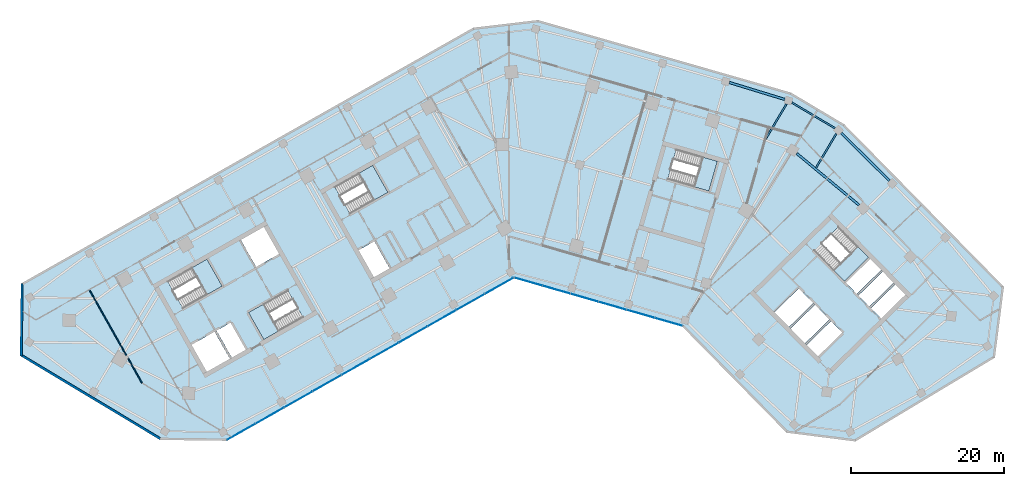
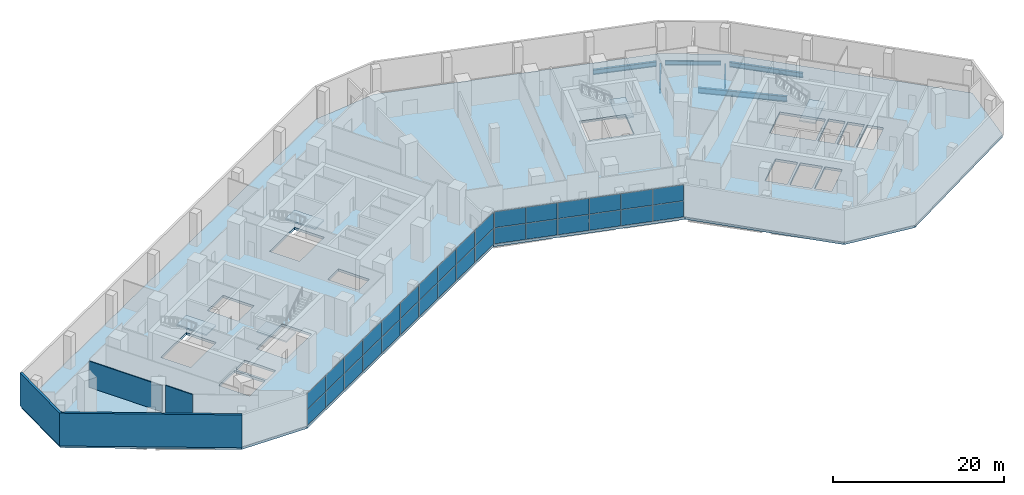
# One storey, part 7 of 16: 32 plates, 6 beams, 6 slabs, 4 walls, 7 elements without a shape of their own.
"""IFC4 building model written with IfcOpenShell, lengths in metres."""

from ifc_helpers import new_model, si_unit, direction, frame, frame_2d, origin, origin_2d, place, context, subcontext, project, spatial, polyline, rectangle, i_section, outline, extrude, material, layer, layer_set, material_profile, profile_set, type_object, element, aggregate, save


model = new_model("IFC4")

# Units and contexts
model_context = context("Model", 3, precision=1e-05, world=origin(), true_north=direction((0.0, 1.0)))
body_context = subcontext(model_context, "Body", "Model", "MODEL_VIEW")
ifc_project = project(units=[si_unit("LENGTHUNIT", "METRE"), si_unit("AREAUNIT", "SQUARE_METRE"), si_unit("VOLUMEUNIT", "CUBIC_METRE"), si_unit("PLANEANGLEUNIT", "RADIAN"), si_unit("MASSUNIT", "GRAM", prefix="KILO")], contexts=[model_context])

# Site, building, storey
site_placement = place(None, origin())
site = spatial("IfcSite", under=ifc_project, at=site_placement, CompositionType="ELEMENT")
building_placement = place(site_placement, origin())
building = spatial("IfcBuilding", under=site, at=building_placement, Name="Binnacle Exchange Tower", CompositionType="ELEMENT")
storey_placement = place(building_placement, frame((0.0, 0.0, 21.5)))
storey = spatial("IfcBuildingStorey", under=building, at=storey_placement, Name="L04", CompositionType="ELEMENT", Elevation=21.5)

# Beams
ifc_material_1 = material(Name="Steel S355 (SHN355)", Category="steel")
ifc_material_profile_1 = material_profile(ifc_material_1, i_section(OverallWidth=0.200927734375, OverallDepth=0.60595703125, WebThickness=0.011962890625, FlangeThickness=0.02001953125, FilletRadius=0.02197265625, at=origin_2d()), Name="H 606x201x12x20")
ifc_profile_set_1 = profile_set([ifc_material_profile_1], Name="Steel S355 (SHN355)")
beam_type_1 = type_object("IfcBeamType", Name="Edge girder H 606x201x12x20 Steel S355 (SHN355)", PredefinedType="SPANDREL", material=ifc_profile_set_1)
beam_1_placement = place(storey_placement, frame((36.972412109375, 65.474609375, -0.653076171875), z_axis=(0.859408777726, -0.51128910879, 0.0), x_axis=(0.51128910879, 0.859408777726, 0.0)))
element("IfcBeam", 1, at=beam_1_placement, inside=storey, type_object=beam_type_1, Name="S:BM:edge:L04:063", PredefinedType="SPANDREL", context=body_context, shape_type="SweptSolid", body=[
    extrude(i_section(OverallWidth=0.200927734375, OverallDepth=0.60595703125, WebThickness=0.011962890625, FlangeThickness=0.02001953125, FilletRadius=0.02197265625, at=origin_2d()), origin(), (0.0, 0.0, 1.0), 6.546142578125),
])
ifc_material_profile_2 = material_profile(ifc_material_1, i_section(OverallWidth=0.300048828125, OverallDepth=0.699951171875, WebThickness=0.012939453125, FlangeThickness=0.02392578125, FilletRadius=0.028076171875, at=origin_2d()), Name="H 700x300x13x24")
ifc_profile_set_2 = profile_set([ifc_material_profile_2], Name="Steel S355 (SHN355)")
beam_type_2 = type_object("IfcBeamType", Name="Edge girder H 700x300x13x24 Steel S355 (SHN355)", PredefinedType="SPANDREL", material=ifc_profile_set_2)
beam_2_placement = place(storey_placement, frame((28.794189453125, 68.103515625, -0.699951171875), z_axis=(0.956298600783, -0.292391836653, 0.0), x_axis=(0.292391836653, 0.956298600783, 0.0)))
element("IfcBeam", 2, at=beam_2_placement, inside=storey, type_object=beam_type_2, Name="S:BM:edge:L04:058", PredefinedType="SPANDREL", context=body_context, shape_type="SweptSolid", body=[
    extrude(i_section(OverallWidth=0.300048828125, OverallDepth=0.699951171875, WebThickness=0.012939453125, FlangeThickness=0.02392578125, FilletRadius=0.028076171875, at=origin_2d()), origin(), (0.0, 0.0, 1.0), 7.58740234375),
])
beam_3_placement = place(storey_placement, frame((43.398193359375, 61.51220703125, -0.699951171875), z_axis=(0.711633547042, -0.702550848497, 0.0), x_axis=(0.702550848497, 0.711633547042, 0.0)))
element("IfcBeam", 3, at=beam_3_placement, inside=storey, type_object=beam_type_2, Name="S:BM:edge:L04:065", PredefinedType="SPANDREL", context=body_context, shape_type="SweptSolid", body=[
    extrude(i_section(OverallWidth=0.300048828125, OverallDepth=0.699951171875, WebThickness=0.012939453125, FlangeThickness=0.02392578125, FilletRadius=0.028076171875, at=origin_2d()), origin(), (0.0, 0.0, 1.0), 8.897216796875),
])
ifc_material_profile_3 = material_profile(ifc_material_1, i_section(OverallWidth=0.300048828125, OverallDepth=0.800048828125, WebThickness=0.013916015625, FlangeThickness=0.02587890625, FilletRadius=0.028076171875, at=origin_2d()), Name="H 800x300x14x26")
ifc_profile_set_3 = profile_set([ifc_material_profile_3], Name="Steel S355 (SHN355)")
beam_type_3 = type_object("IfcBeamType", Name="Edge girder H 800x300x14x26 Steel S355 (SHN355)", PredefinedType="SPANDREL", material=ifc_profile_set_3)
beam_4_placement = place(storey_placement, frame((45.7451171875, 52.084228515625, -0.75), z_axis=(-0.769906025895, 0.638157277864, 0.0), x_axis=(-0.638157277864, -0.769906025895, 0.0)))
element("IfcBeam", 4, at=beam_4_placement, inside=storey, type_object=beam_type_3, Name="S:BM:edge:L04:067", PredefinedType="SPANDREL", context=body_context, shape_type="SweptSolid", body=[
    extrude(i_section(OverallWidth=0.300048828125, OverallDepth=0.800048828125, WebThickness=0.013916015625, FlangeThickness=0.02587890625, FilletRadius=0.028076171875, at=origin_2d()), origin(), (0.0, 0.0, 1.0), 10.59033203125),
])
ifc_material_profile_4 = material_profile(ifc_material_1, i_section(OverallWidth=0.201904296875, OverallDepth=0.612060546875, WebThickness=0.012939453125, FlangeThickness=0.02294921875, FilletRadius=0.02197265625, at=origin_2d()), Name="H 612x202x13x23")
ifc_profile_set_4 = profile_set([ifc_material_profile_4], Name="Steel S355 (SHN355)")
beam_type_4 = type_object("IfcBeamType", Name="Floor beam H 612x202x13x23 Steel S355 (SHN355)", PredefinedType="BEAM", material=ifc_profile_set_4)
beam_5_placement = place(storey_placement, frame((36.263916015625, 65.294677734375, -0.656005859375), z_axis=(-0.511292595627, -0.859406703288, 0.0), x_axis=(0.859406703288, -0.511292595627, 0.0)))
element("IfcBeam", 5, at=beam_5_placement, inside=storey, type_object=beam_type_4, Name="S:BM:cross:L04:115", PredefinedType="BEAM", context=body_context, shape_type="SweptSolid", body=[
    extrude(i_section(OverallWidth=0.201904296875, OverallDepth=0.612060546875, WebThickness=0.012939453125, FlangeThickness=0.02294921875, FilletRadius=0.02197265625, at=origin_2d()), origin(), (0.0, 0.0, 1.0), 5.31884765625),
])
beam_6_placement = place(storey_placement, frame((42.778076171875, 61.419189453125, -0.656005859375), z_axis=(-0.511272874429, -0.859418435847, 0.0), x_axis=(0.859418435847, -0.511272874429, 0.0)))
element("IfcBeam", 6, at=beam_6_placement, inside=storey, type_object=beam_type_4, Name="S:BM:cross:L04:119", PredefinedType="BEAM", context=body_context, shape_type="SweptSolid", body=[
    extrude(i_section(OverallWidth=0.201904296875, OverallDepth=0.612060546875, WebThickness=0.012939453125, FlangeThickness=0.02294921875, FilletRadius=0.02197265625, at=origin_2d()), origin(), (0.0, 0.0, 1.0), 5.208251953125),
])

# Curtain wall, plates
ifc_material_2 = material(Name="Bronze anodised aluminium frame", Category="aluminium")
curtain_wall_type = type_object("IfcCurtainWallType", Name="External wall - curtain wall podium harbour front", PredefinedType="NOTDEFINED", material=ifc_material_2)
curtain_wall_1_placement = place(storey_placement, origin())
curtain_wall_1 = element("IfcCurtainWall", 7, at=curtain_wall_1_placement, inside=storey, type_object=curtain_wall_type, Name="External wall curtain wall CW3-P06 L04", PredefinedType="NOTDEFINED")
ifc_material_3 = material(Name="Glass", Category="glass")
ifc_layer_1 = layer(ifc_material_3, 0.035888671875)
ifc_layer_set_1 = layer_set([ifc_layer_1], Name="CW3 GLASS PANEL 36")
plate_type = type_object("IfcPlateType", Name="CW3 GLASS PANEL 36", PredefinedType="CURTAIN_PANEL", material=ifc_layer_set_1)
plate_1_placement = place(storey_placement, frame((-34.995361328125, 22.455810546875, 0.05029296875), z_axis=(0.0, 0.0, 1.0), x_axis=(0.870355581144, 0.492423763004, 0.0)))
plate_1 = element("IfcPlate", 8, at=plate_1_placement, type_object=plate_type, Name="CW3-P06 panel 1.1", PredefinedType="CURTAIN_PANEL", context=body_context, shape_type="SweptSolid", body=[
    extrude(rectangle(XDim=4.200927734375, YDim=0.035888671875, at=origin_2d()), origin(), (0.0, 0.0, 1.0), 2.264892578125),
])
plate_2_placement = place(storey_placement, frame((-34.995361328125, 22.455810546875, 2.365234375), z_axis=(0.0, 0.0, 1.0), x_axis=(0.870355581144, 0.492423763004, 0.0)))
plate_2 = element("IfcPlate", 9, at=plate_2_placement, type_object=plate_type, Name="CW3-P06 panel 1.2", PredefinedType="CURTAIN_PANEL", context=body_context, shape_type="SweptSolid", body=[
    extrude(rectangle(XDim=4.200927734375, YDim=0.035888671875, at=origin_2d()), origin(), (0.0, 0.0, 1.0), 2.264892578125),
])
plate_3_placement = place(storey_placement, frame((-31.26318359375, 24.5673828125, 0.05029296875), z_axis=(0.0, 0.0, 1.0), x_axis=(0.870355581144, 0.492423763004, 0.0)))
plate_3 = element("IfcPlate", 10, at=plate_3_placement, type_object=plate_type, Name="CW3-P06 panel 2.1", PredefinedType="CURTAIN_PANEL", context=body_context, shape_type="SweptSolid", body=[
    extrude(rectangle(XDim=4.23583984375, YDim=0.035888671875, at=origin_2d()), origin(), (0.0, 0.0, 1.0), 2.264892578125),
])
plate_4_placement = place(storey_placement, frame((-31.26318359375, 24.5673828125, 2.365234375), z_axis=(0.0, 0.0, 1.0), x_axis=(0.870355581144, 0.492423763004, 0.0)))
plate_4 = element("IfcPlate", 11, at=plate_4_placement, type_object=plate_type, Name="CW3-P06 panel 2.2", PredefinedType="CURTAIN_PANEL", context=body_context, shape_type="SweptSolid", body=[
    extrude(rectangle(XDim=4.23583984375, YDim=0.035888671875, at=origin_2d()), origin(), (0.0, 0.0, 1.0), 2.264892578125),
])
plate_5_placement = place(storey_placement, frame((-27.515380859375, 26.687744140625, 0.05029296875), z_axis=(0.0, 0.0, 1.0), x_axis=(0.870355581144, 0.492423763004, 0.0)))
plate_5 = element("IfcPlate", 12, at=plate_5_placement, type_object=plate_type, Name="CW3-P06 panel 3.1", PredefinedType="CURTAIN_PANEL", context=body_context, shape_type="SweptSolid", body=[
    extrude(rectangle(XDim=4.23583984375, YDim=0.035888671875, at=origin_2d()), origin(), (0.0, 0.0, 1.0), 2.264892578125),
])
plate_6_placement = place(storey_placement, frame((-27.515380859375, 26.687744140625, 2.365234375), z_axis=(0.0, 0.0, 1.0), x_axis=(0.870355581144, 0.492423763004, 0.0)))
plate_6 = element("IfcPlate", 13, at=plate_6_placement, type_object=plate_type, Name="CW3-P06 panel 3.2", PredefinedType="CURTAIN_PANEL", context=body_context, shape_type="SweptSolid", body=[
    extrude(rectangle(XDim=4.23583984375, YDim=0.035888671875, at=origin_2d()), origin(), (0.0, 0.0, 1.0), 2.264892578125),
])
plate_7_placement = place(storey_placement, frame((-23.767822265625, 28.807861328125, 0.05029296875), z_axis=(0.0, 0.0, 1.0), x_axis=(0.870355581144, 0.492423763004, 0.0)))
plate_7 = element("IfcPlate", 14, at=plate_7_placement, type_object=plate_type, Name="CW3-P06 panel 4.1", PredefinedType="CURTAIN_PANEL", context=body_context, shape_type="SweptSolid", body=[
    extrude(rectangle(XDim=4.23583984375, YDim=0.035888671875, at=origin_2d()), origin(), (0.0, 0.0, 1.0), 2.264892578125),
])
plate_8_placement = place(storey_placement, frame((-23.767822265625, 28.807861328125, 2.365234375), z_axis=(0.0, 0.0, 1.0), x_axis=(0.870355581144, 0.492423763004, 0.0)))
plate_8 = element("IfcPlate", 15, at=plate_8_placement, type_object=plate_type, Name="CW3-P06 panel 4.2", PredefinedType="CURTAIN_PANEL", context=body_context, shape_type="SweptSolid", body=[
    extrude(rectangle(XDim=4.23583984375, YDim=0.035888671875, at=origin_2d()), origin(), (0.0, 0.0, 1.0), 2.264892578125),
])
plate_9_placement = place(storey_placement, frame((-20.020263671875, 30.92822265625, 0.05029296875), z_axis=(0.0, 0.0, 1.0), x_axis=(0.870355581144, 0.492423763004, 0.0)))
plate_9 = element("IfcPlate", 16, at=plate_9_placement, type_object=plate_type, Name="CW3-P06 panel 5.1", PredefinedType="CURTAIN_PANEL", context=body_context, shape_type="SweptSolid", body=[
    extrude(rectangle(XDim=4.23583984375, YDim=0.035888671875, at=origin_2d()), origin(), (0.0, 0.0, 1.0), 2.264892578125),
])
plate_10_placement = place(storey_placement, frame((-20.020263671875, 30.92822265625, 2.365234375), z_axis=(0.0, 0.0, 1.0), x_axis=(0.870355581144, 0.492423763004, 0.0)))
plate_10 = element("IfcPlate", 17, at=plate_10_placement, type_object=plate_type, Name="CW3-P06 panel 5.2", PredefinedType="CURTAIN_PANEL", context=body_context, shape_type="SweptSolid", body=[
    extrude(rectangle(XDim=4.23583984375, YDim=0.035888671875, at=origin_2d()), origin(), (0.0, 0.0, 1.0), 2.264892578125),
])
plate_11_placement = place(storey_placement, frame((-16.272705078125, 33.048583984375, 0.05029296875), z_axis=(0.0, 0.0, 1.0), x_axis=(0.870355581144, 0.492423763004, 0.0)))
plate_11 = element("IfcPlate", 18, at=plate_11_placement, type_object=plate_type, Name="CW3-P06 panel 6.1", PredefinedType="CURTAIN_PANEL", context=body_context, shape_type="SweptSolid", body=[
    extrude(rectangle(XDim=4.23583984375, YDim=0.035888671875, at=origin_2d()), origin(), (0.0, 0.0, 1.0), 2.264892578125),
])
plate_12_placement = place(storey_placement, frame((-16.272705078125, 33.048583984375, 2.365234375), z_axis=(0.0, 0.0, 1.0), x_axis=(0.870355581144, 0.492423763004, 0.0)))
plate_12 = element("IfcPlate", 19, at=plate_12_placement, type_object=plate_type, Name="CW3-P06 panel 6.2", PredefinedType="CURTAIN_PANEL", context=body_context, shape_type="SweptSolid", body=[
    extrude(rectangle(XDim=4.23583984375, YDim=0.035888671875, at=origin_2d()), origin(), (0.0, 0.0, 1.0), 2.264892578125),
])
plate_13_placement = place(storey_placement, frame((-12.52490234375, 35.1689453125, 0.05029296875), z_axis=(0.0, 0.0, 1.0), x_axis=(0.870355581144, 0.492423763004, 0.0)))
plate_13 = element("IfcPlate", 20, at=plate_13_placement, type_object=plate_type, Name="CW3-P06 panel 7.1", PredefinedType="CURTAIN_PANEL", context=body_context, shape_type="SweptSolid", body=[
    extrude(rectangle(XDim=4.23583984375, YDim=0.035888671875, at=origin_2d()), origin(), (0.0, 0.0, 1.0), 2.264892578125),
])
plate_14_placement = place(storey_placement, frame((-12.52490234375, 35.1689453125, 2.365234375), z_axis=(0.0, 0.0, 1.0), x_axis=(0.870355581144, 0.492423763004, 0.0)))
plate_14 = element("IfcPlate", 21, at=plate_14_placement, type_object=plate_type, Name="CW3-P06 panel 7.2", PredefinedType="CURTAIN_PANEL", context=body_context, shape_type="SweptSolid", body=[
    extrude(rectangle(XDim=4.23583984375, YDim=0.035888671875, at=origin_2d()), origin(), (0.0, 0.0, 1.0), 2.264892578125),
])
plate_15_placement = place(storey_placement, frame((-8.77734375, 37.2890625, 0.05029296875), z_axis=(0.0, 0.0, 1.0), x_axis=(0.870355581144, 0.492423763004, 0.0)))
plate_15 = element("IfcPlate", 22, at=plate_15_placement, type_object=plate_type, Name="CW3-P06 panel 8.1", PredefinedType="CURTAIN_PANEL", context=body_context, shape_type="SweptSolid", body=[
    extrude(rectangle(XDim=4.23583984375, YDim=0.035888671875, at=origin_2d()), origin(), (0.0, 0.0, 1.0), 2.264892578125),
])
plate_16_placement = place(storey_placement, frame((-8.77734375, 37.2890625, 2.365234375), z_axis=(0.0, 0.0, 1.0), x_axis=(0.870355581144, 0.492423763004, 0.0)))
plate_16 = element("IfcPlate", 23, at=plate_16_placement, type_object=plate_type, Name="CW3-P06 panel 8.2", PredefinedType="CURTAIN_PANEL", context=body_context, shape_type="SweptSolid", body=[
    extrude(rectangle(XDim=4.23583984375, YDim=0.035888671875, at=origin_2d()), origin(), (0.0, 0.0, 1.0), 2.264892578125),
])
plate_17_placement = place(storey_placement, frame((-5.02978515625, 39.409423828125, 0.05029296875), z_axis=(0.0, 0.0, 1.0), x_axis=(0.870355581144, 0.492423763004, 0.0)))
plate_17 = element("IfcPlate", 24, at=plate_17_placement, type_object=plate_type, Name="CW3-P06 panel 9.1", PredefinedType="CURTAIN_PANEL", context=body_context, shape_type="SweptSolid", body=[
    extrude(rectangle(XDim=4.23583984375, YDim=0.035888671875, at=origin_2d()), origin(), (0.0, 0.0, 1.0), 2.264892578125),
])
plate_18_placement = place(storey_placement, frame((-5.02978515625, 39.409423828125, 2.365234375), z_axis=(0.0, 0.0, 1.0), x_axis=(0.870355581144, 0.492423763004, 0.0)))
plate_18 = element("IfcPlate", 25, at=plate_18_placement, type_object=plate_type, Name="CW3-P06 panel 9.2", PredefinedType="CURTAIN_PANEL", context=body_context, shape_type="SweptSolid", body=[
    extrude(rectangle(XDim=4.23583984375, YDim=0.035888671875, at=origin_2d()), origin(), (0.0, 0.0, 1.0), 2.264892578125),
])
plate_19_placement = place(storey_placement, frame((-1.29736328125, 41.521240234375, 0.05029296875), z_axis=(0.0, 0.0, 1.0), x_axis=(0.870355581144, 0.492423763004, 0.0)))
plate_19 = element("IfcPlate", 26, at=plate_19_placement, type_object=plate_type, Name="CW3-P06 panel 10.1", PredefinedType="CURTAIN_PANEL", context=body_context, shape_type="SweptSolid", body=[
    extrude(rectangle(XDim=4.200927734375, YDim=0.035888671875, at=origin_2d()), origin(), (0.0, 0.0, 1.0), 2.264892578125),
])
plate_20_placement = place(storey_placement, frame((-1.29736328125, 41.521240234375, 2.365234375), z_axis=(0.0, 0.0, 1.0), x_axis=(0.870355581144, 0.492423763004, 0.0)))
plate_20 = element("IfcPlate", 27, at=plate_20_placement, type_object=plate_type, Name="CW3-P06 panel 10.2", PredefinedType="CURTAIN_PANEL", context=body_context, shape_type="SweptSolid", body=[
    extrude(rectangle(XDim=4.200927734375, YDim=0.035888671875, at=origin_2d()), origin(), (0.0, 0.0, 1.0), 2.264892578125),
])
aggregate(curtain_wall_1, [plate_1, plate_2, plate_3, plate_4, plate_5, plate_6, plate_7, plate_8, plate_9, plate_10, plate_11, plate_12, plate_13, plate_14, plate_15, plate_16, plate_17, plate_18, plate_19, plate_20])

curtain_wall_2_placement = place(storey_placement, origin())
curtain_wall_2 = element("IfcCurtainWall", 28, at=curtain_wall_2_placement, inside=storey, type_object=curtain_wall_type, Name="External wall curtain wall CW3-P07 L04", PredefinedType="NOTDEFINED")
plate_21_placement = place(storey_placement, frame((2.539794921875, 42.0703125, 0.05029296875), z_axis=(0.0, 0.0, 1.0), x_axis=(0.961261813321, -0.275636946454, 0.0)))
plate_21 = element("IfcPlate", 29, at=plate_21_placement, type_object=plate_type, Name="CW3-P07 panel 1.1", PredefinedType="CURTAIN_PANEL", context=body_context, shape_type="SweptSolid", body=[
    extrude(rectangle(XDim=3.713623046875, YDim=0.035888671875, at=origin_2d()), origin(), (0.0, 0.0, 1.0), 2.264892578125),
])
plate_22_placement = place(storey_placement, frame((2.539794921875, 42.0703125, 2.365234375), z_axis=(0.0, 0.0, 1.0), x_axis=(0.961261813321, -0.275636946454, 0.0)))
plate_22 = element("IfcPlate", 30, at=plate_22_placement, type_object=plate_type, Name="CW3-P07 panel 1.2", PredefinedType="CURTAIN_PANEL", context=body_context, shape_type="SweptSolid", body=[
    extrude(rectangle(XDim=3.713623046875, YDim=0.035888671875, at=origin_2d()), origin(), (0.0, 0.0, 1.0), 2.264892578125),
])
plate_23_placement = place(storey_placement, frame((6.19384765625, 41.0224609375, 0.05029296875), z_axis=(0.0, 0.0, 1.0), x_axis=(0.961261813321, -0.275636946454, 0.0)))
plate_23 = element("IfcPlate", 31, at=plate_23_placement, type_object=plate_type, Name="CW3-P07 panel 2.1", PredefinedType="CURTAIN_PANEL", context=body_context, shape_type="SweptSolid", body=[
    extrude(rectangle(XDim=3.748779296875, YDim=0.035888671875, at=origin_2d()), origin(), (0.0, 0.0, 1.0), 2.264892578125),
])
plate_24_placement = place(storey_placement, frame((6.19384765625, 41.0224609375, 2.365234375), z_axis=(0.0, 0.0, 1.0), x_axis=(0.961261813321, -0.275636946454, 0.0)))
plate_24 = element("IfcPlate", 32, at=plate_24_placement, type_object=plate_type, Name="CW3-P07 panel 2.2", PredefinedType="CURTAIN_PANEL", context=body_context, shape_type="SweptSolid", body=[
    extrude(rectangle(XDim=3.748779296875, YDim=0.035888671875, at=origin_2d()), origin(), (0.0, 0.0, 1.0), 2.264892578125),
])
plate_25_placement = place(storey_placement, frame((9.864501953125, 39.969970703125, 0.05029296875), z_axis=(0.0, 0.0, 1.0), x_axis=(0.961261813321, -0.275636946454, 0.0)))
plate_25 = element("IfcPlate", 33, at=plate_25_placement, type_object=plate_type, Name="CW3-P07 panel 3.1", PredefinedType="CURTAIN_PANEL", context=body_context, shape_type="SweptSolid", body=[
    extrude(rectangle(XDim=3.748779296875, YDim=0.035888671875, at=origin_2d()), origin(), (0.0, 0.0, 1.0), 2.264892578125),
])
plate_26_placement = place(storey_placement, frame((9.864501953125, 39.969970703125, 2.365234375), z_axis=(0.0, 0.0, 1.0), x_axis=(0.961261813321, -0.275636946454, 0.0)))
plate_26 = element("IfcPlate", 34, at=plate_26_placement, type_object=plate_type, Name="CW3-P07 panel 3.2", PredefinedType="CURTAIN_PANEL", context=body_context, shape_type="SweptSolid", body=[
    extrude(rectangle(XDim=3.748779296875, YDim=0.035888671875, at=origin_2d()), origin(), (0.0, 0.0, 1.0), 2.264892578125),
])
plate_27_placement = place(storey_placement, frame((13.53515625, 38.91748046875, 0.05029296875), z_axis=(0.0, 0.0, 1.0), x_axis=(0.961261813321, -0.275636946454, 0.0)))
plate_27 = element("IfcPlate", 35, at=plate_27_placement, type_object=plate_type, Name="CW3-P07 panel 4.1", PredefinedType="CURTAIN_PANEL", context=body_context, shape_type="SweptSolid", body=[
    extrude(rectangle(XDim=3.748779296875, YDim=0.035888671875, at=origin_2d()), origin(), (0.0, 0.0, 1.0), 2.264892578125),
])
plate_28_placement = place(storey_placement, frame((13.53515625, 38.91748046875, 2.365234375), z_axis=(0.0, 0.0, 1.0), x_axis=(0.961261813321, -0.275636946454, 0.0)))
plate_28 = element("IfcPlate", 36, at=plate_28_placement, type_object=plate_type, Name="CW3-P07 panel 4.2", PredefinedType="CURTAIN_PANEL", context=body_context, shape_type="SweptSolid", body=[
    extrude(rectangle(XDim=3.748779296875, YDim=0.035888671875, at=origin_2d()), origin(), (0.0, 0.0, 1.0), 2.264892578125),
])
plate_29_placement = place(storey_placement, frame((17.2060546875, 37.86474609375, 0.05029296875), z_axis=(0.0, 0.0, 1.0), x_axis=(0.961261813321, -0.275636946454, 0.0)))
plate_29 = element("IfcPlate", 37, at=plate_29_placement, type_object=plate_type, Name="CW3-P07 panel 5.1", PredefinedType="CURTAIN_PANEL", context=body_context, shape_type="SweptSolid", body=[
    extrude(rectangle(XDim=3.748779296875, YDim=0.035888671875, at=origin_2d()), origin(), (0.0, 0.0, 1.0), 2.264892578125),
])
plate_30_placement = place(storey_placement, frame((17.2060546875, 37.86474609375, 2.365234375), z_axis=(0.0, 0.0, 1.0), x_axis=(0.961261813321, -0.275636946454, 0.0)))
plate_30 = element("IfcPlate", 38, at=plate_30_placement, type_object=plate_type, Name="CW3-P07 panel 5.2", PredefinedType="CURTAIN_PANEL", context=body_context, shape_type="SweptSolid", body=[
    extrude(rectangle(XDim=3.748779296875, YDim=0.035888671875, at=origin_2d()), origin(), (0.0, 0.0, 1.0), 2.264892578125),
])
plate_31_placement = place(storey_placement, frame((20.85986328125, 36.817138671875, 0.05029296875), z_axis=(0.0, 0.0, 1.0), x_axis=(0.961261813321, -0.275636946454, 0.0)))
plate_31 = element("IfcPlate", 39, at=plate_31_placement, type_object=plate_type, Name="CW3-P07 panel 6.1", PredefinedType="CURTAIN_PANEL", context=body_context, shape_type="SweptSolid", body=[
    extrude(rectangle(XDim=3.713623046875, YDim=0.035888671875, at=origin_2d()), origin(), (0.0, 0.0, 1.0), 2.264892578125),
])
plate_32_placement = place(storey_placement, frame((20.85986328125, 36.817138671875, 2.365234375), z_axis=(0.0, 0.0, 1.0), x_axis=(0.961261813321, -0.275636946454, 0.0)))
plate_32 = element("IfcPlate", 40, at=plate_32_placement, type_object=plate_type, Name="CW3-P07 panel 6.2", PredefinedType="CURTAIN_PANEL", context=body_context, shape_type="SweptSolid", body=[
    extrude(rectangle(XDim=3.713623046875, YDim=0.035888671875, at=origin_2d()), origin(), (0.0, 0.0, 1.0), 2.264892578125),
])
aggregate(curtain_wall_2, [plate_21, plate_22, plate_23, plate_24, plate_25, plate_26, plate_27, plate_28, plate_29, plate_30, plate_31, plate_32])

# Slab
ifc_material_4 = material(Name="Concrete C35/45", Category="concrete")
ifc_layer_2 = layer(ifc_material_4, 0.35009765625)
ifc_layer_set_2 = layer_set([ifc_layer_2], Name="Floor slab 350 Concrete C35/45")
slab_type_1 = type_object("IfcSlabType", Name="Floor slab 350 Concrete C35/45", PredefinedType="FLOOR", material=ifc_layer_set_2)
slab_1_placement = place(storey_placement, frame((0.0, 0.0, -0.35009765625)))
element("IfcSlab", 41, at=slab_1_placement, inside=storey, type_object=slab_type_1, Name="S:SL:L04:01", PredefinedType="FLOOR", context=body_context, shape_type="SweptSolid", body=[
    extrude(outline(polyline([(64.52880859375, 41.35400390625), (63.369873046875, 32.243408203125), (45.233154296875, 21.345703125), (36.33984375, 22.47705078125), (22.79248046875, 36.2626953125), (0.63720703125, 42.61572265625), (-36.81201171875, 21.427978515625), (-45.560791015625, 21.54248046875), (-63.753173828125, 32.4736328125), (-63.6318359375, 41.74365234375), (-4.6328125, 75.12353515625), (3.775634765625, 76.118896484375), (36.7900390625, 66.652099609375), (43.719970703125, 62.529296875), (64.52880859375, 41.35400390625)]), holes=[polyline([(-38.4794921875, 35.529296875), (-41.61279296875, 33.756591796875), (-39.544677734375, 30.10107421875), (-36.411376953125, 31.873779296875), (-38.4794921875, 35.529296875)]), polyline([(-34.322509765625, 33.0556640625), (-36.390625, 36.711181640625), (-38.21826171875, 35.677001953125), (-36.150146484375, 32.021484375), (-34.322509765625, 33.0556640625)]), polyline([(-34.040771484375, 38.04052734375), (-32.04638671875, 34.515625), (-26.9287109375, 37.4111328125), (-28.923095703125, 40.93603515625), (-34.040771484375, 38.04052734375)]), polyline([(-37.486572265625, 41.4912109375), (-39.480712890625, 45.01611328125), (-44.598388671875, 42.12060546875), (-42.604248046875, 38.595703125), (-37.486572265625, 41.4912109375)]), polyline([(-15.53076171875, 43.6875), (-17.598876953125, 47.343017578125), (-19.77490234375, 46.11181640625), (-17.70654296875, 42.456298828125), (-15.53076171875, 43.6875)]), polyline([(-29.914306640625, 45.775390625), (-31.982666015625, 49.430908203125), (-35.115966796875, 47.657958984375), (-33.047607421875, 44.00244140625), (-29.914306640625, 45.775390625)]), polyline([(-15.822509765625, 53.748046875), (-17.81689453125, 57.27294921875), (-22.760498046875, 54.47607421875), (-20.76611328125, 50.950927734375), (-15.822509765625, 53.748046875)]), polyline([(26.111328125, 53.9169921875), (27.227783203125, 57.810302734375), (21.864013671875, 59.348388671875), (20.74755859375, 55.455078125), (26.111328125, 53.9169921875)]), polyline([(40.268798828125, 32.201904296875), (43.549560546875, 35.426025390625), (42.07763671875, 36.923828125), (38.796875, 33.69970703125), (40.268798828125, 32.201904296875)]), polyline([(38.58642578125, 33.913818359375), (41.867431640625, 37.137939453125), (39.97509765625, 39.063720703125), (36.694091796875, 35.83935546875), (38.58642578125, 33.913818359375)]), polyline([(36.48388671875, 36.053466796875), (39.7646484375, 39.277587890625), (37.872314453125, 41.203369140625), (34.59130859375, 37.979248046875), (36.48388671875, 36.053466796875)]), polyline([(48.726806640625, 37.148681640625), (52.0078125, 40.372802734375), (50.577880859375, 41.827880859375), (47.296875, 38.603759765625), (48.726806640625, 37.148681640625)]), polyline([(47.086669921875, 38.817626953125), (50.36767578125, 42.0419921875), (48.944580078125, 43.48974609375), (45.663818359375, 40.265625), (47.086669921875, 38.817626953125)]), polyline([(45.45361328125, 40.4794921875), (48.734375, 43.703857421875), (47.3115234375, 45.151611328125), (44.030517578125, 41.927490234375), (45.45361328125, 40.4794921875)]), polyline([(43.8203125, 42.141357421875), (46.994384765625, 45.260498046875), (43.083251953125, 49.240478515625), (39.9091796875, 46.121337890625), (43.8203125, 42.141357421875)])]), origin(), (0.0, 0.0, 1.0), 0.35009765625),
])

# Stair, slab
stair_type = type_object("IfcStairType", Name="STAIR 28 RISERS 179", PredefinedType="HALF_TURN_STAIR", material=ifc_material_4)
stair_1_placement = place(storey_placement, origin())
stair_1 = element("IfcStair", 42, at=stair_1_placement, inside=storey, type_object=stair_type, Name="L04 Escape stair A1", PredefinedType="HALF_TURN_STAIR")
ifc_layer_3 = layer(ifc_material_4, 0.199951171875)
ifc_layer_set_3 = layer_set([ifc_layer_3], Name="STAIR LANDING 200")
slab_type_2 = type_object("IfcSlabType", Name="STAIR LANDING 200", PredefinedType="LANDING", material=ifc_layer_set_3)
slab_2_placement = place(storey_placement, frame((0.0, 0.0, 2.300048828125)))
slab_2 = element("IfcSlab", 43, at=slab_2_placement, type_object=slab_type_2, Name="STA1 landing 1", PredefinedType="LANDING", context=body_context, shape_type="SweptSolid", body=[
    extrude(outline(polyline([(-39.470947265625, 40.368408203125), (-37.486572265625, 41.4912109375), (-39.48095703125, 45.01611328125), (-41.46533203125, 43.893310546875), (-39.470947265625, 40.368408203125)])), origin(), (0.0, 0.0, 1.0), 0.199951171875),
])
aggregate(stair_1, [slab_2])

stair_2_placement = place(storey_placement, origin())
stair_2 = element("IfcStair", 44, at=stair_2_placement, inside=storey, type_object=stair_type, Name="L04 Escape stair A2", PredefinedType="HALF_TURN_STAIR")
slab_3_placement = place(storey_placement, frame((0.0, 0.0, 2.300048828125)))
slab_3 = element("IfcSlab", 45, at=slab_3_placement, type_object=slab_type_2, Name="STA2 landing 1", PredefinedType="LANDING", context=body_context, shape_type="SweptSolid", body=[
    extrude(outline(polyline([(-32.05615234375, 39.163330078125), (-34.040771484375, 38.04052734375), (-32.04638671875, 34.515625), (-30.06201171875, 35.638427734375), (-32.05615234375, 39.163330078125)])), origin(), (0.0, 0.0, 1.0), 0.199951171875),
])
aggregate(stair_2, [slab_3])

stair_3_placement = place(storey_placement, origin())
stair_3 = element("IfcStair", 46, at=stair_3_placement, inside=storey, type_object=stair_type, Name="L04 Escape stair B1", PredefinedType="HALF_TURN_STAIR")
slab_4_placement = place(storey_placement, frame((0.0, 0.0, 2.300048828125)))
slab_4 = element("IfcSlab", 47, at=slab_4_placement, type_object=slab_type_2, Name="STB1 landing 1", PredefinedType="LANDING", context=body_context, shape_type="SweptSolid", body=[
    extrude(outline(polyline([(42.4326171875, 43.5537109375), (43.8203125, 42.141357421875), (46.994384765625, 45.260498046875), (45.606689453125, 46.672607421875), (42.4326171875, 43.5537109375)])), origin(), (0.0, 0.0, 1.0), 0.199951171875),
])
aggregate(stair_3, [slab_4])

stair_4_placement = place(storey_placement, origin())
stair_4 = element("IfcStair", 48, at=stair_4_placement, inside=storey, type_object=stair_type, Name="L04 Escape stair C1", PredefinedType="HALF_TURN_STAIR")
slab_5_placement = place(storey_placement, frame((0.0, 0.0, 2.300048828125)))
slab_5 = element("IfcSlab", 49, at=slab_5_placement, type_object=slab_type_2, Name="STC1 landing 1", PredefinedType="LANDING", context=body_context, shape_type="SweptSolid", body=[
    extrude(outline(polyline([(-17.6328125, 52.7236328125), (-15.822509765625, 53.748046875), (-17.81689453125, 57.27294921875), (-19.627197265625, 56.248779296875), (-17.6328125, 52.7236328125)])), origin(), (0.0, 0.0, 1.0), 0.199951171875),
])
aggregate(stair_4, [slab_5])

stair_5_placement = place(storey_placement, origin())
stair_5 = element("IfcStair", 50, at=stair_5_placement, inside=storey, type_object=stair_type, Name="L04 Escape stair D1", PredefinedType="HALF_TURN_STAIR")
slab_6_placement = place(storey_placement, frame((0.0, 0.0, 2.300048828125)))
slab_6 = element("IfcSlab", 51, at=slab_6_placement, type_object=slab_type_2, Name="STD1 landing 1", PredefinedType="LANDING", context=body_context, shape_type="SweptSolid", body=[
    extrude(outline(polyline([(24.2080078125, 54.462890625), (26.111328125, 53.917236328125), (27.227783203125, 57.810302734375), (25.324462890625, 58.35595703125), (24.2080078125, 54.462890625)])), origin(), (0.0, 0.0, 1.0), 0.199951171875),
])
aggregate(stair_5, [slab_6])

# Walls
ifc_material_5 = material(Name="Bronze aluminium louvre", Category="aluminium")
ifc_layer_4 = layer(ifc_material_5, 0.300048828125)
ifc_layer_set_4 = layer_set([ifc_layer_4], Name="External wall - podium louvre 300")
wall_type_1 = type_object("IfcWallType", Name="External wall - podium louvre 300", PredefinedType="STANDARD", material=ifc_layer_set_4)
wall_1_placement = place(storey_placement, frame((-63.754150390625, 32.387451171875, 0.0), z_axis=(0.0, 0.0, 1.0), x_axis=(0.013081929375, 0.999914427901, 0.0)))
element("IfcWall", 52, at=wall_1_placement, inside=storey, type_object=wall_type_1, Name="External wall EW-P03 L04", PredefinedType="STANDARD", context=body_context, shape_type="SweptSolid", body=[
    extrude(rectangle(XDim=9.443115234375, YDim=0.300048828125, at=frame_2d((4.7216796875, 0.0))), origin(), (0.0, 0.0, 1.0), 4.679931640625),
])
wall_2_placement = place(storey_placement, frame((-45.526123046875, 21.521728515625, 0.0), z_axis=(0.0, 0.0, 1.0), x_axis=(-0.857164837164, 0.515042174903, 0.0)))
element("IfcWall", 53, at=wall_2_placement, inside=storey, type_object=wall_type_1, Name="External wall EW-P04 L04", PredefinedType="STANDARD", context=body_context, shape_type="SweptSolid", body=[
    extrude(rectangle(XDim=21.350341796875, YDim=0.300048828125, at=frame_2d((10.67529296875, 0.0))), origin(), (0.0, 0.0, 1.0), 4.679931640625),
])
ifc_material_6 = material(Name="Gypsum partition")
ifc_layer_5 = layer(ifc_material_6, 0.125)
ifc_layer_set_5 = layer_set([ifc_layer_5], Name="Partition 125")
wall_type_2 = type_object("IfcWallType", Name="Partition 125", PredefinedType="PARTITIONING", material=ifc_layer_set_5)
wall_3_placement = place(storey_placement, frame((-54.860107421875, 41.02587890625, 0.0), z_axis=(0.0, 0.0, 1.0), x_axis=(0.492429637412, -0.870352257536, 0.0)))
element("IfcWall", 54, at=wall_3_placement, inside=storey, type_object=wall_type_2, Name="Partition W04", PredefinedType="PARTITIONING", context=body_context, shape_type="SweptSolid", body=[
    extrude(rectangle(XDim=9.87158203125, YDim=0.125, at=frame_2d((4.935791015625, 0.0))), origin(), (0.0, 0.0, 1.0), 3.741943359375),
])
wall_4_placement = place(storey_placement, frame((-49.76611328125, 32.02197265625, 0.0), z_axis=(0.0, 0.0, 1.0), x_axis=(0.492501810842, -0.870311419159, 0.0)))
element("IfcWall", 55, at=wall_4_placement, inside=storey, type_object=wall_type_2, Name="Partition W07", PredefinedType="PARTITIONING", context=body_context, shape_type="SweptSolid", body=[
    extrude(rectangle(XDim=3.655029296875, YDim=0.125, at=frame_2d((1.82763671875, 0.0))), origin(), (0.0, 0.0, 1.0), 3.951904296875),
])

save(model, "model.ifc")
